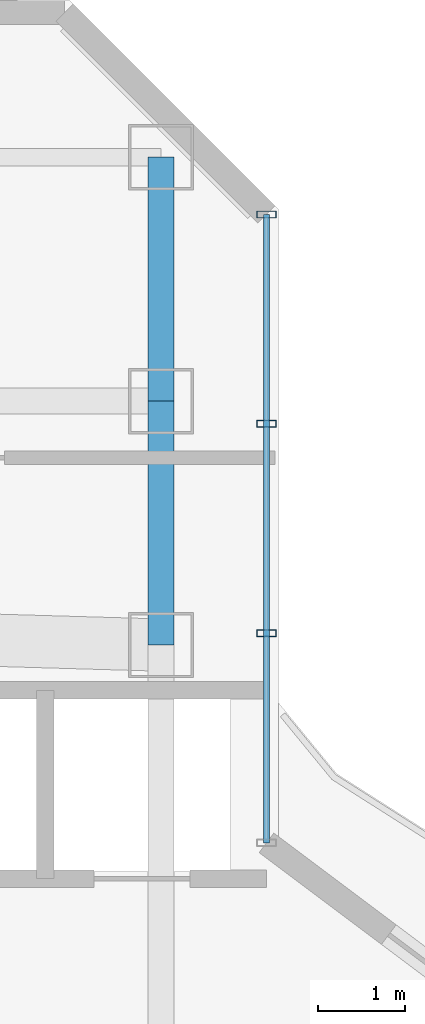
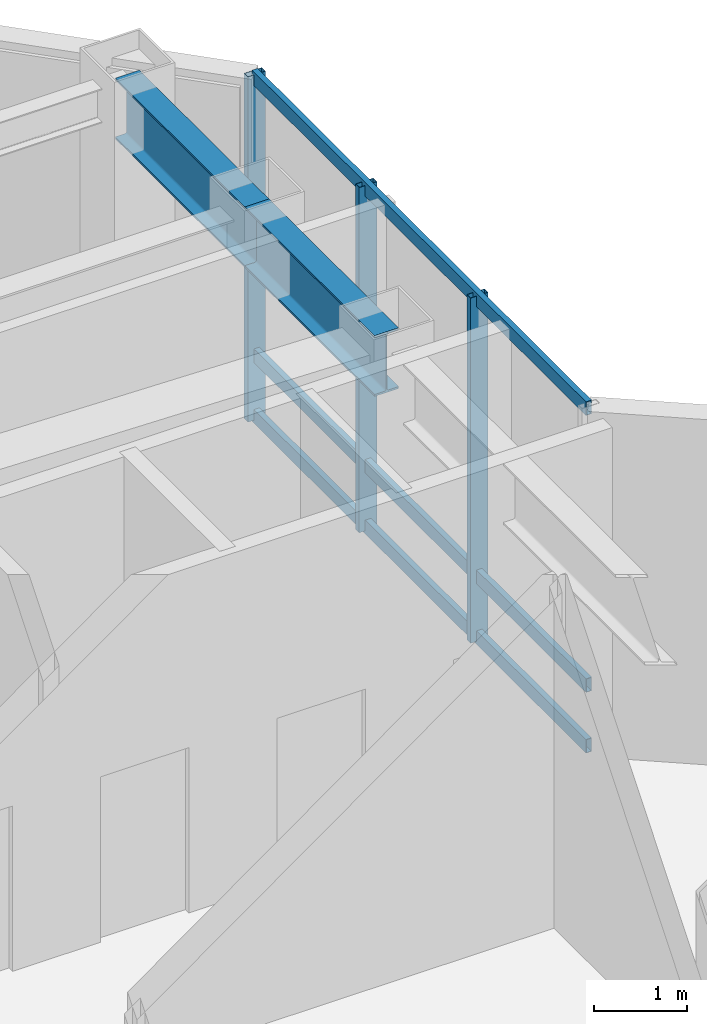
# One storey, part 14 of 21: 6 members, 2 beams, 1 element without a shape of its own.
"""IFC4 building model written with IfcOpenShell, lengths in metres."""

from ifc_helpers import new_model, si_unit, direction, frame, origin, origin_2d, place, context, subcontext, project, spatial, hollow_rectangle, i_section, extrude, material, layer, layer_set, material_profile, profile_set, type_object, element, aggregate, save


model = new_model("IFC4")

# Units and contexts
model_context = context("Model", 3, precision=1e-05, world=origin(), true_north=direction((0.0, 1.0)))
body_context = subcontext(model_context, "Body", "Model", "MODEL_VIEW")
ifc_project = project(units=[si_unit("LENGTHUNIT", "METRE"), si_unit("AREAUNIT", "SQUARE_METRE"), si_unit("VOLUMEUNIT", "CUBIC_METRE"), si_unit("PLANEANGLEUNIT", "RADIAN"), si_unit("MASSUNIT", "GRAM", prefix="KILO")], contexts=[model_context])

# Site, building, storey
site_placement = place(None, origin())
site = spatial("IfcSite", under=ifc_project, at=site_placement, CompositionType="ELEMENT")
building_placement = place(site_placement, origin())
building = spatial("IfcBuilding", under=site, at=building_placement, Name="Hatsunagi Terrace Concourse", CompositionType="ELEMENT")
storey_placement = place(building_placement, frame((0.0, 0.0, 186.75)))
storey = spatial("IfcBuildingStorey", under=building, at=storey_placement, Name="L49", CompositionType="ELEMENT", Elevation=186.75)

# Curtain wall, members
ifc_material_1 = material(Name="Anodised Aluminium Alloy 6063-T5", Category="aluminium")
ifc_layer = layer(ifc_material_1, 0.199951171875)
ifc_layer_set = layer_set([ifc_layer], Name="SkyLobbyAtrium_CW05")
curtain_wall_type = type_object("IfcCurtainWallType", Name="SkyLobbyAtrium_CW05", PredefinedType="NOTDEFINED", material=ifc_layer_set)
curtain_wall_placement = place(storey_placement, origin())
curtain_wall = element("IfcCurtainWall", 1, at=curtain_wall_placement, inside=storey, type_object=curtain_wall_type, Name="Unitised Curtain Wall CW-05 CW-L49-12", PredefinedType="NOTDEFINED")
ifc_material_2 = material(Name="Anodised Aluminium Alloy 6063-T5", Category="aluminium")
ifc_material_profile_1 = material_profile(ifc_material_2, hollow_rectangle(XDim=0.080078125, YDim=0.219970703125, WallThickness=0.0048828125, at=origin_2d()), Name="ALU-MUL-220x80x5")
ifc_profile_set_1 = profile_set([ifc_material_profile_1], Name="Anodised Aluminium Alloy 6063-T5")
member_type_1 = type_object("IfcMemberType", Name="CurtainWallMullion_Heavy_220x80", PredefinedType="MULLION", material=ifc_profile_set_1)
member_1_placement = place(storey_placement, frame((44.860107421875, 47.94189453125, 0.0), z_axis=(0.0, 0.0, 1.0), x_axis=(0.0, -1.0, 0.0)))
member_1 = element("IfcMember", 2, at=member_1_placement, type_object=member_type_1, Name="Curtain Wall Mullion MUL-01", PredefinedType="MULLION", context=body_context, shape_type="SweptSolid", body=[
    extrude(hollow_rectangle(XDim=0.080078125, YDim=0.219970703125, WallThickness=0.0048828125, at=origin_2d()), origin(), (0.0, 0.0, 1.0), 4.550048828125),
])
member_2_placement = place(storey_placement, frame((44.860107421875, 45.5380859375, 0.0), z_axis=(0.0, 0.0, 1.0), x_axis=(0.0, -1.0, 0.0)))
member_2 = element("IfcMember", 3, at=member_2_placement, type_object=member_type_1, Name="Curtain Wall Mullion MUL-01", PredefinedType="MULLION", context=body_context, shape_type="SweptSolid", body=[
    extrude(hollow_rectangle(XDim=0.080078125, YDim=0.219970703125, WallThickness=0.0048828125, at=origin_2d()), origin(), (0.0, 0.0, 1.0), 4.550048828125),
])
member_3_placement = place(storey_placement, frame((44.860107421875, 43.134033203125, 0.0), z_axis=(0.0, 0.0, 1.0), x_axis=(0.0, -1.0, 0.0)))
member_3 = element("IfcMember", 4, at=member_3_placement, type_object=member_type_1, Name="Curtain Wall Mullion MUL-01", PredefinedType="MULLION", context=body_context, shape_type="SweptSolid", body=[
    extrude(hollow_rectangle(XDim=0.080078125, YDim=0.219970703125, WallThickness=0.0048828125, at=origin_2d()), origin(), (0.0, 0.0, 1.0), 4.550048828125),
])
ifc_material_3 = material(Name="Anodised Aluminium Alloy 6063-T5", Category="aluminium")
ifc_material_profile_2 = material_profile(ifc_material_3, hollow_rectangle(XDim=0.070068359375, YDim=0.179931640625, WallThickness=0.00390625, at=origin_2d()), Name="ALU-TRN-180x70x4")
ifc_profile_set_2 = profile_set([ifc_material_profile_2], Name="Anodised Aluminium Alloy 6063-T5")
member_type_2 = type_object("IfcMemberType", Name="CurtainWallTransom_Heavy_180x70", PredefinedType="USERDEFINED", material=ifc_profile_set_2)
member_4_placement = place(storey_placement, frame((44.860107421875, 47.94189453125, 0.050048828125), z_axis=(0.0, -1.0, 0.0), x_axis=(1.0, 0.0, 0.0)))
member_4 = element("IfcMember", 5, at=member_4_placement, type_object=member_type_2, Name="Curtain Wall Transom TRN-01", ObjectType="TRANSOM", PredefinedType="USERDEFINED", context=body_context, shape_type="SweptSolid", body=[
    extrude(hollow_rectangle(XDim=0.070068359375, YDim=0.179931640625, WallThickness=0.00390625, at=origin_2d()), origin(), (0.0, 0.0, 1.0), 7.2119140625),
])
member_5_placement = place(storey_placement, frame((44.860107421875, 47.94189453125, 0.85009765625), z_axis=(0.0, -1.0, 0.0), x_axis=(1.0, 0.0, 0.0)))
member_5 = element("IfcMember", 6, at=member_5_placement, type_object=member_type_2, Name="Curtain Wall Transom TRN-01", ObjectType="TRANSOM", PredefinedType="USERDEFINED", context=body_context, shape_type="SweptSolid", body=[
    extrude(hollow_rectangle(XDim=0.070068359375, YDim=0.179931640625, WallThickness=0.00390625, at=origin_2d()), origin(), (0.0, 0.0, 1.0), 7.2119140625),
])
member_6_placement = place(storey_placement, frame((44.860107421875, 47.94189453125, 4.5), z_axis=(0.0, -1.0, 0.0), x_axis=(1.0, 0.0, 0.0)))
member_6 = element("IfcMember", 7, at=member_6_placement, type_object=member_type_2, Name="Curtain Wall Transom TRN-01", ObjectType="TRANSOM", PredefinedType="USERDEFINED", context=body_context, shape_type="SweptSolid", body=[
    extrude(hollow_rectangle(XDim=0.070068359375, YDim=0.179931640625, WallThickness=0.00390625, at=origin_2d()), origin(), (0.0, 0.0, 1.0), 7.2119140625),
])
aggregate(curtain_wall, [member_1, member_2, member_3, member_4, member_5, member_6])

# Beams
ifc_material_4 = material(Name="Steel SN490B", Category="steel")
ifc_material_profile_3 = material_profile(ifc_material_4, i_section(OverallWidth=0.300048828125, OverallDepth=0.800048828125, WebThickness=0.013916015625, FlangeThickness=0.02587890625, FilletRadius=0.02197265625, at=origin_2d()), Name="H-800x300x14x26")
ifc_profile_set_3 = profile_set([ifc_material_profile_3], Name="Steel SN490B")
beam_type = type_object("IfcBeamType", Name="SkyLobbyGirder_H_800x300", PredefinedType="BEAM", material=ifc_profile_set_3)
for number, where, z_axis, x_axis, name in (
    (8, (43.64990234375, 43.0, 4.14990234375), (0.0, 1.0, 0.0), (-1.0, 0.0, 0.0), "Beam G-03 BM-L49-CN3"),
    (9, (43.64990234375, 45.800048828125, 4.14990234375), (0.0, 1.0, 0.0), (-1.0, 0.0, 0.0), "Beam G-03 BM-L49-KN-WN6"),
):
    element("IfcBeam", number, at=place(storey_placement, frame(where, z_axis=z_axis, x_axis=x_axis)), inside=storey, type_object=beam_type, Name=name, PredefinedType="BEAM", context=body_context, shape_type="SweptSolid", body=[
        extrude(i_section(OverallWidth=0.300048828125, OverallDepth=0.800048828125, WebThickness=0.013916015625, FlangeThickness=0.02587890625, FilletRadius=0.02197265625, at=origin_2d()), origin(), (0.0, 0.0, 1.0), 2.800048828125),
    ])

save(model, "model.ifc")
